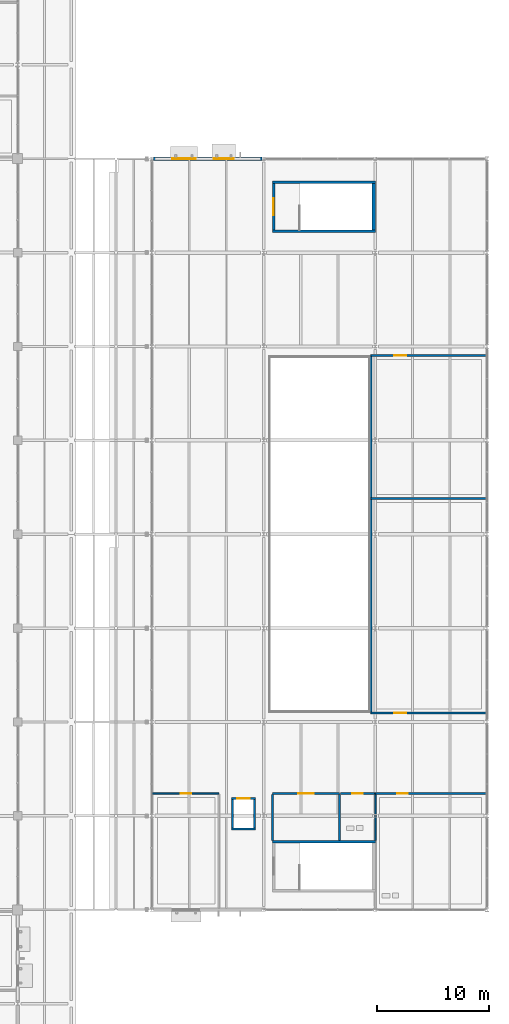
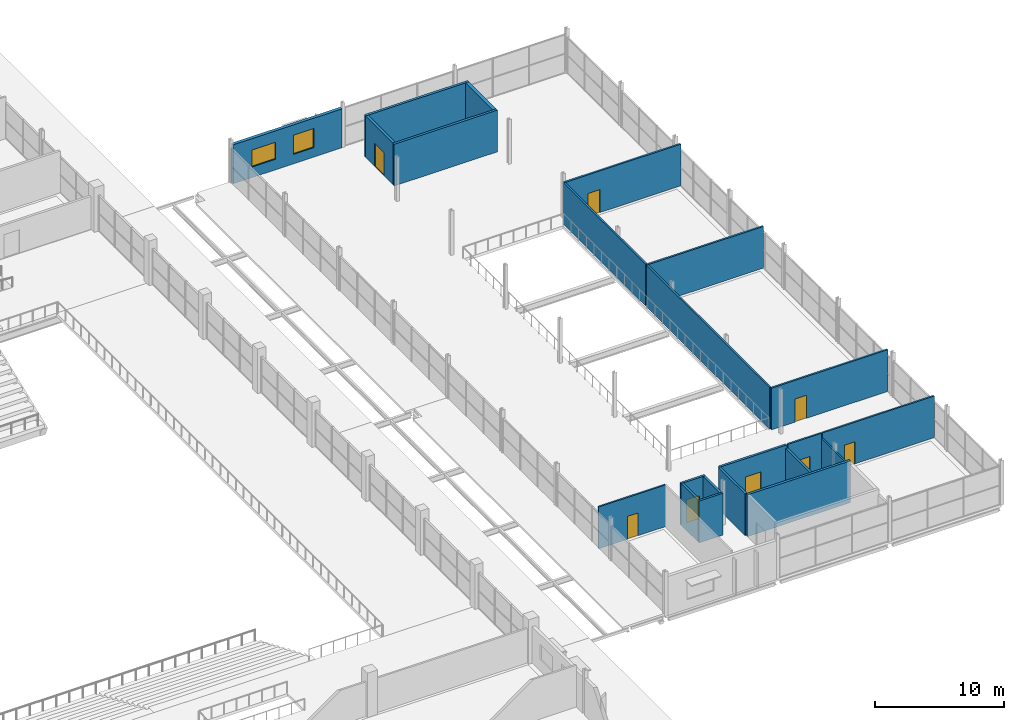
# One storey, part 140 of 161: 22 walls, 8 doors, 2 windows, 10 openings.
"""IFC4 building model written with IfcOpenShell, lengths in metres."""

from ifc_helpers import new_model, si_unit, direction, frame, frame_2d, origin, place, context, subcontext, project, spatial, rectangle, extrude, material, layer, layer_set, type_object, element, fill, save


model = new_model("IFC4")

# Units and contexts
model_context = context("Model", 3, precision=1e-05, world=origin(), true_north=direction((0.0, 1.0)))
body_context = subcontext(model_context, "Body", "Model", "MODEL_VIEW")
ifc_project = project(units=[si_unit("LENGTHUNIT", "METRE"), si_unit("AREAUNIT", "SQUARE_METRE"), si_unit("VOLUMEUNIT", "CUBIC_METRE"), si_unit("PLANEANGLEUNIT", "RADIAN"), si_unit("MASSUNIT", "GRAM", prefix="KILO"), si_unit("THERMODYNAMICTEMPERATUREUNIT", "KELVIN")], contexts=[model_context])

# Site, building, storey
site_placement = place(None, origin())
site = spatial("IfcSite", under=ifc_project, at=site_placement, CompositionType="ELEMENT")
building_placement = place(site_placement, origin())
building = spatial("IfcBuilding", under=site, at=building_placement, Name="Nduvali Passage Aquatics Centre", CompositionType="ELEMENT")
storey_placement = place(building_placement, frame((0.0, 0.0, 4.800048828125)))
storey = spatial("IfcBuildingStorey", under=building, at=storey_placement, Name="L01", CompositionType="ELEMENT", Elevation=4.800048828125)

# Wall, openings, windows
ifc_material_1 = material(Name="Coral-stone masonry blockwork", Category="masonry")
ifc_layer_1 = layer(ifc_material_1, 0.280029296875, Name="Coral-stone masonry blockwork")
ifc_layer_set_1 = layer_set([ifc_layer_1], Name="Coral-stone masonry blockwork")
wall_type_1 = type_object("IfcWallType", Name="ENV-WAL-CORAL280", PredefinedType="STANDARD", material=ifc_layer_set_1)
wall_1_placement = place(storey_placement, frame((147.860107421875, 92.39990234375, 0.0), z_axis=(0.0, 0.0, 1.0), x_axis=(-1.0, 0.0, 0.0)))
wall_1 = element("IfcWall", 1, at=wall_1_placement, inside=storey, type_object=wall_type_1, Name="L01 East Pavilion North Facade 0100", PredefinedType="STANDARD", context=body_context, shape_type="SweptSolid", body=[
    extrude(rectangle(XDim=9.710205078125, YDim=0.280029296875, at=frame_2d((4.85498046875, 0.0))), origin(), (0.0, 0.0, 1.0), 3.676025390625),
])
opening_1_placement = place(wall_1_placement, frame((2.512939453125, 0.0, 0.89990234375)))
opening_1 = element("IfcOpeningElement", 2, at=opening_1_placement, cuts=wall_1, Name="Opening W2", PredefinedType="OPENING", context=body_context, shape_type="SweptSolid", body=[
    extrude(rectangle(XDim=1.800048828125, YDim=1.800048828125, at=frame_2d((0.89990234375, 0.89990234375))), frame((0.0, 0.15478515625, 0.0), z_axis=(0.0, -1.0, 0.0), x_axis=(1.0, 0.0, 0.0)), (0.0, 0.0, 1.0), 0.309814453125),
])
opening_2_placement = place(wall_1_placement, frame((5.94091796875, 0.0, 1.0)))
opening_2 = element("IfcOpeningElement", 3, at=opening_2_placement, cuts=wall_1, Name="Opening W5", PredefinedType="OPENING", context=body_context, shape_type="SweptSolid", body=[
    extrude(rectangle(XDim=2.10009765625, YDim=1.60009765625, at=frame_2d((1.050048828125, 0.800048828125))), frame((0.0, 0.15478515625, 0.0), z_axis=(0.0, -1.0, 0.0), x_axis=(1.0, 0.0, 0.0)), (0.0, 0.0, 1.0), 0.309814453125),
])
ifc_material_2 = material(Name="Aluminium-framed solar-control low-E IGU", Category="aluminium")
window_type_1 = type_object("IfcWindowType", Name="ENV-WIN-W2", PartitioningType="SINGLE_PANEL", PredefinedType="WINDOW", material=ifc_material_2)
window_1_placement = place(opening_1_placement, origin())
window_1 = element("IfcWindow", 4, at=window_1_placement, inside=storey, type_object=window_type_1, Name="L01 Exterior Window W2-0090", OverallHeight=1.800048828125, OverallWidth=1.800048828125, PartitioningType="SINGLE_PANEL", PredefinedType="WINDOW", context=body_context, shape_type="SweptSolid", body=[
    extrude(rectangle(XDim=1.800048828125, YDim=1.800048828125, at=frame_2d((0.89990234375, 0.89990234375))), frame((0.0, 0.030029296875, 0.0), z_axis=(0.0, -1.0, 0.0), x_axis=(1.0, 0.0, 0.0)), (0.0, 0.0, 1.0), 0.06005859375),
])
fill(opening_1, window_1)
window_type_2 = type_object("IfcWindowType", Name="ENV-WIN-W5", PartitioningType="SINGLE_PANEL", PredefinedType="WINDOW", material=ifc_material_2)
window_2_placement = place(opening_2_placement, origin())
window_2 = element("IfcWindow", 5, at=window_2_placement, inside=storey, type_object=window_type_2, Name="L01 Exterior Window W5-0091", OverallHeight=1.60009765625, OverallWidth=2.10009765625, PartitioningType="SINGLE_PANEL", PredefinedType="WINDOW", context=body_context, shape_type="SweptSolid", body=[
    extrude(rectangle(XDim=2.10009765625, YDim=1.60009765625, at=frame_2d((1.050048828125, 0.800048828125))), frame((0.0, 0.030029296875, 0.0), z_axis=(0.0, -1.0, 0.0), x_axis=(1.0, 0.0, 0.0)), (0.0, 0.0, 1.0), 0.06005859375),
])
fill(opening_2, window_2)

# Wall, opening, door
ifc_layer_2 = layer(ifc_material_1, 0.199951171875, Name="Coral-stone masonry blockwork")
ifc_layer_set_2 = layer_set([ifc_layer_2], Name="Coral-stone masonry blockwork")
wall_type_2 = type_object("IfcWallType", Name="INT-WAL-COMP200", PredefinedType="PARTITIONING", material=ifc_layer_set_2)
wall_2_placement = place(storey_placement, frame((148.800048828125, 35.60009765625, 0.0), z_axis=(0.0, 0.0, 1.0), x_axis=(1.0, 0.0, 0.0)))
wall_2 = element("IfcWall", 6, at=wall_2_placement, inside=storey, type_object=wall_type_2, Name="L01 Upper Pavilion Hospitality and Chair Store Partition 0168", PredefinedType="PARTITIONING", context=body_context, shape_type="SweptSolid", body=[
    extrude(rectangle(XDim=6.0, YDim=0.199951171875, at=frame_2d((3.0, 0.0))), origin(), (0.0, 0.0, 1.0), 3.93994140625),
])
opening_3_placement = place(wall_2_placement, frame((2.300048828125, 0.0, 0.0)))
opening_3 = element("IfcOpeningElement", 7, at=opening_3_placement, cuts=wall_2, Name="Opening FD-P1", PredefinedType="OPENING", context=body_context, shape_type="SweptSolid", body=[
    extrude(rectangle(XDim=1.39990234375, YDim=2.199951171875, at=frame_2d((0.699951171875, 1.10009765625))), frame((0.0, 0.11474609375, 0.0), z_axis=(0.0, -1.0, 0.0), x_axis=(1.0, 0.0, 0.0)), (0.0, 0.0, 1.0), 0.229736328125),
])
ifc_material_3 = material(Name="Galvanised steel door", Category="steel")
door_type_1 = type_object("IfcDoorType", Name="INT-DR-PLNT140", OperationType="DOUBLE_DOOR_SINGLE_SWING", PredefinedType="DOOR", material=ifc_material_3)
door_1_placement = place(opening_3_placement, origin())
door_1 = element("IfcDoor", 8, at=door_1_placement, inside=storey, type_object=door_type_1, Name="L01 Upper Pavilion Hospitality and Chair Store Door 0056", OperationType="DOUBLE_DOOR_SINGLE_SWING", OverallHeight=2.199951171875, OverallWidth=1.39990234375, PredefinedType="DOOR", context=body_context, shape_type="SweptSolid", body=[
    extrude(rectangle(XDim=1.39990234375, YDim=2.199951171875, at=frame_2d((0.699951171875, 1.10009765625))), frame((0.0, 0.02490234375, 0.0), z_axis=(0.0, -1.0, 0.0), x_axis=(1.0, 0.0, 0.0)), (0.0, 0.0, 1.0), 0.050048828125),
])
fill(opening_3, door_1)

# Walls
wall_3_placement = place(storey_placement, frame((148.800048828125, 31.409912109375, 0.0), z_axis=(0.0, 0.0, 1.0), x_axis=(0.0, 1.0, 0.0)))
element("IfcWall", 9, at=wall_3_placement, inside=storey, type_object=wall_type_2, Name="L01 Upper Pavilion Hospitality and Chair Store Partition 0169", PredefinedType="PARTITIONING", context=body_context, shape_type="SweptSolid", body=[
    extrude(rectangle(XDim=4.090087890625, YDim=0.199951171875, at=frame_2d((2.044921875, 0.0))), origin(), (0.0, 0.0, 1.0), 3.93994140625),
])
wall_4_placement = place(storey_placement, frame((154.800048828125, 31.409912109375, 0.0), z_axis=(0.0, 0.0, 1.0), x_axis=(0.0, 1.0, 0.0)))
element("IfcWall", 10, at=wall_4_placement, inside=storey, type_object=wall_type_2, Name="L01 Upper Pavilion Hospitality and Chair Store Partition 0170", PredefinedType="PARTITIONING", context=body_context, shape_type="SweptSolid", body=[
    extrude(rectangle(XDim=4.090087890625, YDim=0.199951171875, at=frame_2d((2.044921875, 0.0))), origin(), (0.0, 0.0, 1.0), 3.64599609375),
])
ifc_material_4 = material(Name="Concrete C40/50", Category="concrete")
ifc_layer_3 = layer(ifc_material_4, 0.219970703125, Name="Concrete C40/50")
ifc_layer_set_3 = layer_set([ifc_layer_3], Name="Concrete C40/50")
wall_type_3 = type_object("IfcWallType", Name="INT-WAL-CORE220", PredefinedType="SOLIDWALL", material=ifc_layer_set_3)
for number, where, z_axis, x_axis, name in (
    (11, (158.0, 31.300048828125, 0.0), (0.0, 0.0, 1.0), (-1.0, 0.0, 0.0), "L01 Stair ST7 Core Wall N"),
    (12, (148.780029296875, 85.889892578125, 0.0), (0.0, 0.0, 1.0), (1.0, 0.0, 0.0), "L01 Stair ST8 Core Wall S"),
    (13, (158.0, 90.300048828125, 0.0), (0.0, 0.0, 1.0), (-1.0, 0.0, 0.0), "L01 Stair ST8 Core Wall N"),
):
    element("IfcWall", number, at=place(storey_placement, frame(where, z_axis=z_axis, x_axis=x_axis)), inside=storey, type_object=wall_type_3, Name=name, PredefinedType="SOLIDWALL", context=body_context, shape_type="SweptSolid", body=[
        extrude(rectangle(XDim=9.219970703125, YDim=0.219970703125, at=frame_2d((4.60986328125, 0.0))), origin(), (0.0, 0.0, 1.0), 3.93994140625),
    ])

# Wall, opening, door
wall_5_placement = place(storey_placement, frame((148.889892578125, 90.18994140625, 0.0), z_axis=(0.0, 0.0, 1.0), x_axis=(0.0, -1.0, 0.0)))
wall_5 = element("IfcWall", 14, at=wall_5_placement, inside=storey, type_object=wall_type_3, Name="L01 Stair ST8 Core Wall W", PredefinedType="SOLIDWALL", context=body_context, shape_type="SweptSolid", body=[
    extrude(rectangle(XDim=4.18994140625, YDim=0.219970703125, at=frame_2d((2.094970703125, 0.0))), origin(), (0.0, 0.0, 1.0), 3.93994140625),
])
opening_4_placement = place(wall_5_placement, frame((1.344970703125, 0.0, 0.0)))
opening_4 = element("IfcOpeningElement", 15, at=opening_4_placement, cuts=wall_5, Name="Opening FD-ST1", PredefinedType="OPENING", context=body_context, shape_type="SweptSolid", body=[
    extrude(rectangle(XDim=1.5, YDim=2.199951171875, at=frame_2d((0.75, 1.10009765625))), frame((0.0, 0.125, 0.0), z_axis=(0.0, -1.0, 0.0), x_axis=(1.0, 0.0, 0.0)), (0.0, 0.0, 1.0), 0.249755859375),
])
door_type_2 = type_object("IfcDoorType", Name="INT-DR-ST150", OperationType="DOUBLE_DOOR_SINGLE_SWING", PredefinedType="DOOR", material=ifc_material_3)
door_2_placement = place(opening_4_placement, frame((1.5, 0.0, 0.0), z_axis=(0.0, 0.0, 1.0), x_axis=(-1.0, 0.0, 0.0)))
door_2 = element("IfcDoor", 16, at=door_2_placement, inside=storey, type_object=door_type_2, Name="L01 Stair ST8 Fire Lobby Door", OperationType="DOUBLE_DOOR_SINGLE_SWING", OverallHeight=2.199951171875, OverallWidth=1.5, PredefinedType="DOOR", context=body_context, shape_type="SweptSolid", body=[
    extrude(rectangle(XDim=1.5, YDim=2.199951171875, at=frame_2d((0.75, 1.10009765625))), frame((0.0, 0.02490234375, 0.0), z_axis=(0.0, -1.0, 0.0), x_axis=(1.0, 0.0, 0.0)), (0.0, 0.0, 1.0), 0.050048828125),
])
fill(opening_4, door_2)

ifc_material_5 = material(Name="Gypsum fire-rated stud partition")
ifc_layer_4 = layer(ifc_material_5, 0.159912109375, Name="Gypsum fire-rated stud partition")
ifc_layer_set_4 = layer_set([ifc_layer_4], Name="Gypsum fire-rated stud partition")
wall_type_4 = type_object("IfcWallType", Name="INT-WAL-FIRE160", PredefinedType="PARTITIONING", material=ifc_layer_set_4)
wall_6_placement = place(storey_placement, frame((157.60009765625, 42.800048828125, 0.0), z_axis=(0.0, 0.0, 1.0), x_axis=(1.0, 0.0, 0.0)))
wall_6 = element("IfcWall", 17, at=wall_6_placement, inside=storey, type_object=wall_type_4, Name="L01 World Aquatics Doping Control and Chaperone Suite Partition 0160", PredefinedType="PARTITIONING", context=body_context, shape_type="SweptSolid", body=[
    extrude(rectangle(XDim=10.3798828125, YDim=0.159912109375, at=frame_2d((5.18994140625, 0.0))), origin(), (0.0, 0.0, 1.0), 3.93994140625),
])
opening_5_placement = place(wall_6_placement, frame((2.094970703125, 0.0, 0.0)))
opening_5 = element("IfcOpeningElement", 18, at=opening_5_placement, cuts=wall_6, Name="Opening FD-R1", PredefinedType="OPENING", context=body_context, shape_type="SweptSolid", body=[
    extrude(rectangle(XDim=1.050048828125, YDim=2.179931640625, at=frame_2d((0.52490234375, 1.08984375))), frame((0.0, 0.0947265625, 0.0), z_axis=(0.0, -1.0, 0.0), x_axis=(1.0, 0.0, 0.0)), (0.0, 0.0, 1.0), 0.189697265625),
])
ifc_material_6 = material(Name="Timber solid-core fire door", Category="wood")
door_type_3 = type_object("IfcDoorType", Name="INT-DR-FIRE100", OperationType="NOTDEFINED", PredefinedType="DOOR", material=ifc_material_6)
door_3_placement = place(opening_5_placement, frame((1.050048828125, 0.0, 0.0), z_axis=(0.0, 0.0, 1.0), x_axis=(-1.0, 0.0, 0.0)))
door_3 = element("IfcDoor", 19, at=door_3_placement, inside=storey, type_object=door_type_3, Name="L01 World Aquatics Doping Control and Chaperone Suite Door 0053", OperationType="SINGLE_SWING_RIGHT", OverallHeight=2.179931640625, OverallWidth=1.050048828125, PredefinedType="DOOR", context=body_context, shape_type="SweptSolid", body=[
    extrude(rectangle(XDim=1.050048828125, YDim=2.179931640625, at=frame_2d((0.52490234375, 1.08984375))), frame((0.0, 0.02490234375, 0.0), z_axis=(0.0, -1.0, 0.0), x_axis=(1.0, 0.0, 0.0)), (0.0, 0.0, 1.0), 0.050048828125),
])
fill(opening_5, door_3)

# Walls
wall_7_placement = place(storey_placement, frame((157.60009765625, 62.0, 0.0), z_axis=(0.0, 0.0, 1.0), x_axis=(1.0, 0.0, 0.0)))
element("IfcWall", 20, at=wall_7_placement, inside=storey, type_object=wall_type_4, Name="L01 World Aquatics Doping Control and Chaperone Suite Partition 0161", PredefinedType="PARTITIONING", context=body_context, shape_type="SweptSolid", body=[
    extrude(rectangle(XDim=10.3798828125, YDim=0.159912109375, at=frame_2d((5.18994140625, 0.0))), origin(), (0.0, 0.0, 1.0), 3.93994140625),
])
wall_8_placement = place(storey_placement, frame((157.60009765625, 42.8798828125, 0.0), z_axis=(0.0, 0.0, 1.0), x_axis=(0.0, 1.0, 0.0)))
element("IfcWall", 21, at=wall_8_placement, inside=storey, type_object=wall_type_4, Name="L01 World Aquatics Doping Control and Chaperone Suite Partition 0162", PredefinedType="PARTITIONING", context=body_context, shape_type="SweptSolid", body=[
    extrude(rectangle(XDim=19.0400390625, YDim=0.159912109375, at=frame_2d((9.52001953125, 0.0))), origin(), (0.0, 0.0, 1.0), 3.93994140625),
])

# Wall, opening, door
wall_9_placement = place(storey_placement, frame((157.60009765625, 74.800048828125, 0.0), z_axis=(0.0, 0.0, 1.0), x_axis=(1.0, 0.0, 0.0)))
wall_9 = element("IfcWall", 22, at=wall_9_placement, inside=storey, type_object=wall_type_4, Name="L01 Competition Jury, Timing and Officials Suite Partition 0163", PredefinedType="PARTITIONING", context=body_context, shape_type="SweptSolid", body=[
    extrude(rectangle(XDim=10.3798828125, YDim=0.159912109375, at=frame_2d((5.18994140625, 0.0))), origin(), (0.0, 0.0, 1.0), 3.93994140625),
])
opening_6_placement = place(wall_9_placement, frame((2.094970703125, 0.0, 0.0)))
opening_6 = element("IfcOpeningElement", 23, at=opening_6_placement, cuts=wall_9, Name="Opening FD-R1", PredefinedType="OPENING", context=body_context, shape_type="SweptSolid", body=[
    extrude(rectangle(XDim=1.050048828125, YDim=2.179931640625, at=frame_2d((0.52490234375, 1.08984375))), frame((0.0, 0.0947265625, 0.0), z_axis=(0.0, -1.0, 0.0), x_axis=(1.0, 0.0, 0.0)), (0.0, 0.0, 1.0), 0.189697265625),
])
door_4_placement = place(opening_6_placement, origin())
door_4 = element("IfcDoor", 24, at=door_4_placement, inside=storey, type_object=door_type_3, Name="L01 Competition Jury, Timing and Officials Suite Door 0054", OperationType="SINGLE_SWING_LEFT", OverallHeight=2.179931640625, OverallWidth=1.050048828125, PredefinedType="DOOR", context=body_context, shape_type="SweptSolid", body=[
    extrude(rectangle(XDim=1.050048828125, YDim=2.179931640625, at=frame_2d((0.52490234375, 1.08984375))), frame((0.0, 0.02490234375, 0.0), z_axis=(0.0, -1.0, 0.0), x_axis=(1.0, 0.0, 0.0)), (0.0, 0.0, 1.0), 0.050048828125),
])
fill(opening_6, door_4)

# Wall
wall_10_placement = place(storey_placement, frame((157.60009765625, 62.080078125, 0.0), z_axis=(0.0, 0.0, 1.0), x_axis=(0.0, 1.0, 0.0)))
element("IfcWall", 25, at=wall_10_placement, inside=storey, type_object=wall_type_4, Name="L01 Competition Jury, Timing and Officials Suite Partition 0164", PredefinedType="PARTITIONING", context=body_context, shape_type="SweptSolid", body=[
    extrude(rectangle(XDim=12.639892578125, YDim=0.159912109375, at=frame_2d((6.31982421875, 0.0))), origin(), (0.0, 0.0, 1.0), 3.93994140625),
])

# Wall, opening, door
ifc_material_7 = material(Name="Gypsum acoustic stud partition")
ifc_layer_5 = layer(ifc_material_7, 0.139892578125, Name="Gypsum acoustic stud partition")
ifc_layer_set_5 = layer_set([ifc_layer_5], Name="Gypsum acoustic stud partition")
wall_type_5 = type_object("IfcWallType", Name="INT-WAL-PART140", PredefinedType="PARTITIONING", material=ifc_layer_set_5)
wall_11_placement = place(storey_placement, frame((138.02001953125, 35.60009765625, 0.0), z_axis=(0.0, 0.0, 1.0), x_axis=(1.0, 0.0, 0.0)))
wall_11 = element("IfcWall", 26, at=wall_11_placement, inside=storey, type_object=wall_type_5, Name="L01 Event Media Accreditation Office Partition 0158", PredefinedType="PARTITIONING", context=body_context, shape_type="SweptSolid", body=[
    extrude(rectangle(XDim=5.97998046875, YDim=0.139892578125, at=frame_2d((2.989990234375, 0.0))), origin(), (0.0, 0.0, 1.0), 3.93994140625),
])
opening_7_placement = place(wall_11_placement, frame((2.56494140625, 0.0, 0.0)))
opening_7 = element("IfcOpeningElement", 27, at=opening_7_placement, cuts=wall_11, Name="Opening ID2", PredefinedType="OPENING", context=body_context, shape_type="SweptSolid", body=[
    extrude(rectangle(XDim=0.949951171875, YDim=2.14990234375, at=frame_2d((0.47509765625, 1.074951171875))), frame((0.0, 0.0849609375, 0.0), z_axis=(0.0, -1.0, 0.0), x_axis=(1.0, 0.0, 0.0)), (0.0, 0.0, 1.0), 0.169677734375),
])
ifc_material_8 = material(Name="Timber solid-core door", Category="wood")
door_type_4 = type_object("IfcDoorType", Name="INT-DR-STD95", OperationType="NOTDEFINED", PredefinedType="DOOR", material=ifc_material_8)
door_5_placement = place(opening_7_placement, origin())
door_5 = element("IfcDoor", 28, at=door_5_placement, inside=storey, type_object=door_type_4, Name="L01 Event Media Accreditation Office Door 0052", OperationType="SINGLE_SWING_LEFT", OverallHeight=2.14990234375, OverallWidth=0.949951171875, PredefinedType="DOOR", context=body_context, shape_type="SweptSolid", body=[
    extrude(rectangle(XDim=0.949951171875, YDim=2.14990234375, at=frame_2d((0.47509765625, 1.074951171875))), frame((0.0, 0.02490234375, 0.0), z_axis=(0.0, -1.0, 0.0), x_axis=(1.0, 0.0, 0.0)), (0.0, 0.0, 1.0), 0.050048828125),
])
fill(opening_7, door_5)

# Walls
ifc_layer_6 = layer(ifc_material_4, 0.18994140625, Name="Concrete C40/50")
ifc_layer_set_6 = layer_set([ifc_layer_6], Name="Concrete C40/50")
wall_type_6 = type_object("IfcWallType", Name="INT-WAL-SHAFT200", PredefinedType="SOLIDWALL", material=ifc_layer_set_6)
wall_12_placement = place(storey_placement, frame((145.1298828125, 32.425048828125, 0.0), z_axis=(0.0, 0.0, 1.0), x_axis=(1.0, 0.0, 0.0)))
element("IfcWall", 29, at=wall_12_placement, inside=storey, type_object=wall_type_6, Name="L01 Lift L6 Shaft Wall S", PredefinedType="SOLIDWALL", context=body_context, shape_type="SweptSolid", body=[
    extrude(rectangle(XDim=2.14013671875, YDim=0.18994140625, at=frame_2d((1.070068359375, 0.0))), origin(), (0.0, 0.0, 1.0), 3.93994140625),
])
wall_13_placement = place(storey_placement, frame((147.175048828125, 32.52001953125, 0.0), z_axis=(0.0, 0.0, 1.0), x_axis=(0.0, 1.0, 0.0)))
element("IfcWall", 30, at=wall_13_placement, inside=storey, type_object=wall_type_6, Name="L01 Lift L6 Shaft Wall E", PredefinedType="SOLIDWALL", context=body_context, shape_type="SweptSolid", body=[
    extrude(rectangle(XDim=2.56005859375, YDim=0.18994140625, at=frame_2d((1.280029296875, 0.0))), origin(), (0.0, 0.0, 1.0), 3.93994140625),
])

# Wall, opening, door
wall_14_placement = place(storey_placement, frame((147.27001953125, 35.175048828125, 0.0), z_axis=(0.0, 0.0, 1.0), x_axis=(-1.0, 0.0, 0.0)))
wall_14 = element("IfcWall", 31, at=wall_14_placement, inside=storey, type_object=wall_type_6, Name="L01 Lift L6 Shaft Wall N", PredefinedType="SOLIDWALL", context=body_context, shape_type="SweptSolid", body=[
    extrude(rectangle(XDim=2.14013671875, YDim=0.18994140625, at=frame_2d((1.070068359375, 0.0))), origin(), (0.0, 0.0, 1.0), 3.93994140625),
])
opening_8_placement = place(wall_14_placement, frame((0.52001953125, 0.0, 0.0)))
opening_8 = element("IfcOpeningElement", 32, at=opening_8_placement, cuts=wall_14, Name="Opening LD6", PredefinedType="OPENING", context=body_context, shape_type="SweptSolid", body=[
    extrude(rectangle(XDim=1.10009765625, YDim=2.199951171875, at=frame_2d((0.550048828125, 1.10009765625))), frame((0.0, 0.10986328125, 0.0), z_axis=(0.0, -1.0, 0.0), x_axis=(1.0, 0.0, 0.0)), (0.0, 0.0, 1.0), 0.2197265625),
])
ifc_material_9 = material(Name="Stainless steel landing door", Category="steel")
door_type_5 = type_object("IfcDoorType", Name="INT-DR-LD6", OperationType="DOUBLE_DOOR_SLIDING", PredefinedType="DOOR", material=ifc_material_9)
door_6_placement = place(opening_8_placement, origin())
door_6 = element("IfcDoor", 33, at=door_6_placement, inside=storey, type_object=door_type_5, Name="L01 Lift L6 Sliding Landing Door LD6", OperationType="DOUBLE_DOOR_SLIDING", OverallHeight=2.199951171875, OverallWidth=1.10009765625, PredefinedType="DOOR", context=body_context, shape_type="SweptSolid", body=[
    extrude(rectangle(XDim=1.10009765625, YDim=2.199951171875, at=frame_2d((0.550048828125, 1.10009765625))), frame((0.0, 0.02490234375, 0.0), z_axis=(0.0, -1.0, 0.0), x_axis=(1.0, 0.0, 0.0)), (0.0, 0.0, 1.0), 0.050048828125),
])
fill(opening_8, door_6)

# Wall
wall_15_placement = place(storey_placement, frame((145.22509765625, 35.080078125, 0.0), z_axis=(0.0, 0.0, 1.0), x_axis=(0.0, -1.0, 0.0)))
element("IfcWall", 34, at=wall_15_placement, inside=storey, type_object=wall_type_6, Name="L01 Lift L6 Shaft Wall W", PredefinedType="SOLIDWALL", context=body_context, shape_type="SweptSolid", body=[
    extrude(rectangle(XDim=2.56005859375, YDim=0.18994140625, at=frame_2d((1.280029296875, 0.0))), origin(), (0.0, 0.0, 1.0), 3.93994140625),
])

# Wall, opening, door
ifc_layer_7 = layer(ifc_material_1, 0.14990234375, Name="Coral-stone masonry blockwork")
ifc_layer_set_7 = layer_set([ifc_layer_7], Name="Coral-stone masonry blockwork")
wall_type_7 = type_object("IfcWallType", Name="INT-WAL-WET150", PredefinedType="PLUMBINGWALL", material=ifc_layer_set_7)
wall_16_placement = place(storey_placement, frame((158.0, 35.60009765625, 0.0), z_axis=(0.0, 0.0, 1.0), x_axis=(1.0, 0.0, 0.0)))
wall_16 = element("IfcWall", 35, at=wall_16_placement, inside=storey, type_object=wall_type_7, Name="L01 Upper Pavilion Public and Doping Sample WCs Partition 0165", PredefinedType="PLUMBINGWALL", context=body_context, shape_type="SweptSolid", body=[
    extrude(rectangle(XDim=9.97998046875, YDim=0.14990234375, at=frame_2d((4.989990234375, 0.0))), origin(), (0.0, 0.0, 1.0), 3.93994140625),
])
opening_9_placement = place(wall_16_placement, frame((1.945068359375, 0.0, 0.0)))
opening_9 = element("IfcOpeningElement", 36, at=opening_9_placement, cuts=wall_16, Name="Opening ID3", PredefinedType="OPENING", context=body_context, shape_type="SweptSolid", body=[
    extrude(rectangle(XDim=0.949951171875, YDim=2.10009765625, at=frame_2d((0.47509765625, 1.050048828125))), frame((0.0, 0.08984375, 0.0), z_axis=(0.0, -1.0, 0.0), x_axis=(1.0, 0.0, 0.0)), (0.0, 0.0, 1.0), 0.1796875),
])
door_type_6 = type_object("IfcDoorType", Name="INT-DR-WC95", OperationType="NOTDEFINED", PredefinedType="DOOR", material=ifc_material_8)
door_7_placement = place(opening_9_placement, frame((0.949951171875, 0.0, 0.0), z_axis=(0.0, 0.0, 1.0), x_axis=(-1.0, 0.0, 0.0)))
door_7 = element("IfcDoor", 37, at=door_7_placement, inside=storey, type_object=door_type_6, Name="L01 Upper Pavilion Public and Doping Sample WCs Door 0055", OperationType="SINGLE_SWING_RIGHT", OverallHeight=2.10009765625, OverallWidth=0.949951171875, PredefinedType="DOOR", context=body_context, shape_type="SweptSolid", body=[
    extrude(rectangle(XDim=0.949951171875, YDim=2.10009765625, at=frame_2d((0.47509765625, 1.050048828125))), frame((0.0, 0.02490234375, 0.0), z_axis=(0.0, -1.0, 0.0), x_axis=(1.0, 0.0, 0.0)), (0.0, 0.0, 1.0), 0.050048828125),
])
fill(opening_9, door_7)

# Wall
wall_17_placement = place(storey_placement, frame((158.0, 31.409912109375, 0.0), z_axis=(0.0, 0.0, 1.0), x_axis=(0.0, 1.0, 0.0)))
element("IfcWall", 38, at=wall_17_placement, inside=storey, type_object=wall_type_7, Name="L01 Upper Pavilion Public and Doping Sample WCs Partition 0167", PredefinedType="PLUMBINGWALL", context=body_context, shape_type="SweptSolid", body=[
    extrude(rectangle(XDim=4.114990234375, YDim=0.14990234375, at=frame_2d((2.0576171875, 0.0))), origin(), (0.0, 0.0, 1.0), 3.436279296875),
])

# Wall, opening, door
wall_18_placement = place(storey_placement, frame((154.89990234375, 35.60009765625, 0.0), z_axis=(0.0, 0.0, 1.0), x_axis=(1.0, 0.0, 0.0)))
wall_18 = element("IfcWall", 39, at=wall_18_placement, inside=storey, type_object=wall_type_7, Name="L01 Upper Pavilion Accessible WC Partition 0171", PredefinedType="PLUMBINGWALL", context=body_context, shape_type="SweptSolid", body=[
    extrude(rectangle(XDim=3.025146484375, YDim=0.14990234375, at=frame_2d((1.5126953125, 0.0))), origin(), (0.0, 0.0, 1.0), 3.93994140625),
])
opening_10_placement = place(wall_18_placement, frame((1.037109375, 0.0, 0.0)))
opening_10 = element("IfcOpeningElement", 40, at=opening_10_placement, cuts=wall_18, Name="Opening ID3", PredefinedType="OPENING", context=body_context, shape_type="SweptSolid", body=[
    extrude(rectangle(XDim=0.949951171875, YDim=2.10009765625, at=frame_2d((0.47509765625, 1.050048828125))), frame((0.0, 0.08984375, 0.0), z_axis=(0.0, -1.0, 0.0), x_axis=(1.0, 0.0, 0.0)), (0.0, 0.0, 1.0), 0.1796875),
])
door_8_placement = place(opening_10_placement, frame((0.949951171875, 0.0, 0.0), z_axis=(0.0, 0.0, 1.0), x_axis=(-1.0, 0.0, 0.0)))
door_8 = element("IfcDoor", 41, at=door_8_placement, inside=storey, type_object=door_type_6, Name="L01 Upper Pavilion Accessible WC Door 0057", OperationType="SINGLE_SWING_RIGHT", OverallHeight=2.10009765625, OverallWidth=0.949951171875, PredefinedType="DOOR", context=body_context, shape_type="SweptSolid", body=[
    extrude(rectangle(XDim=0.949951171875, YDim=2.10009765625, at=frame_2d((0.47509765625, 1.050048828125))), frame((0.0, 0.02490234375, 0.0), z_axis=(0.0, -1.0, 0.0), x_axis=(1.0, 0.0, 0.0)), (0.0, 0.0, 1.0), 0.050048828125),
])
fill(opening_10, door_8)

# Wall
ifc_layer_8 = layer(ifc_material_4, 0.300048828125, Name="Concrete C40/50")
ifc_layer_set_8 = layer_set([ifc_layer_8], Name="Concrete C40/50")
wall_type_8 = type_object("IfcWallType", Name="STR-WAL-SHR300", PredefinedType="SHEAR", material=ifc_layer_set_8)
wall_19_placement = place(storey_placement, frame((157.85009765625, 86.0, 0.0), z_axis=(0.0, 0.0, 1.0), x_axis=(0.0, 1.0, 0.0)))
element("IfcWall", 42, at=wall_19_placement, inside=storey, type_object=wall_type_8, Name="L01 Stair ST8 Core Shear Wall E", PredefinedType="SHEAR", context=body_context, shape_type="SweptSolid", body=[
    extrude(rectangle(XDim=4.18994140625, YDim=0.300048828125, at=frame_2d((2.094970703125, 0.0))), origin(), (0.0, 0.0, 1.0), 3.93994140625),
])

save(model, "model.ifc")
